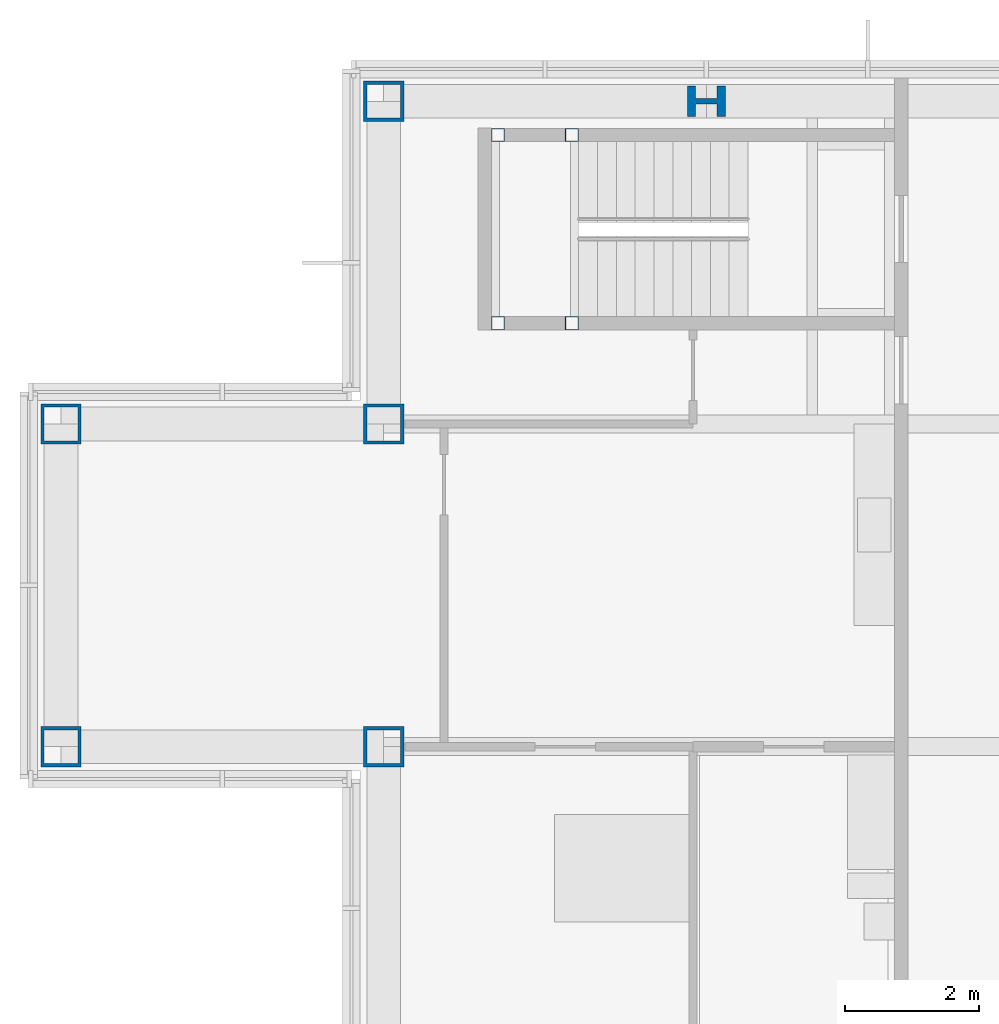
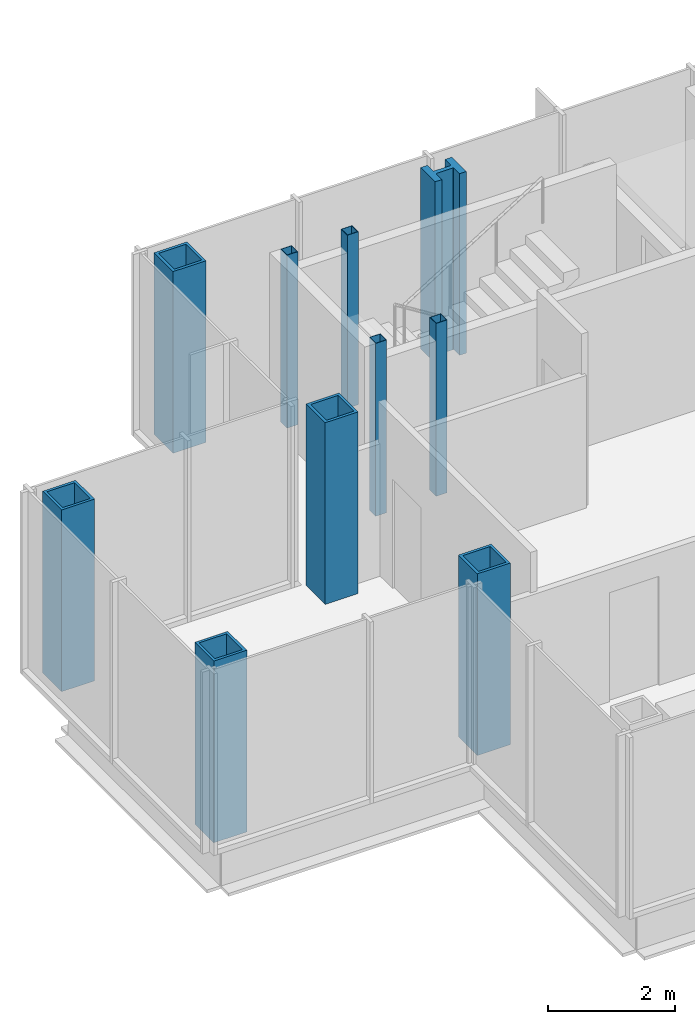
# One storey, part 3 of 15: 10 columns.
"""IFC4 building model written with IfcOpenShell, lengths in metres."""

from ifc_helpers import new_model, si_unit, direction, frame, origin, origin_2d, place, context, subcontext, project, spatial, hollow_rectangle, i_section, extrude, material, material_profile, profile_set, type_object, element, save


model = new_model("IFC4")

# Units and contexts
model_context = context("Model", 3, precision=1e-05, world=origin(), true_north=direction((0.0, 1.0)))
body_context = subcontext(model_context, "Body", "Model", "MODEL_VIEW")
ifc_project = project(units=[si_unit("LENGTHUNIT", "METRE"), si_unit("AREAUNIT", "SQUARE_METRE"), si_unit("VOLUMEUNIT", "CUBIC_METRE"), si_unit("PLANEANGLEUNIT", "RADIAN"), si_unit("MASSUNIT", "GRAM", prefix="KILO")], contexts=[model_context])

# Site, building, storey
site_placement = place(None, origin())
site = spatial("IfcSite", under=ifc_project, at=site_placement, CompositionType="ELEMENT")
building_placement = place(site_placement, origin())
building = spatial("IfcBuilding", under=site, at=building_placement, Name="Kvirike Care Tower", CompositionType="ELEMENT")
storey_placement = place(building_placement, frame((0.0, 0.0, 201.5)))
storey = spatial("IfcBuildingStorey", under=building, at=storey_placement, Name="L55", CompositionType="ELEMENT", Elevation=201.5)

# Columns
ifc_material_1 = material(Name="Steel S460", Category="steel")
ifc_material_profile_1 = material_profile(ifc_material_1, hollow_rectangle(XDim=0.60009765625, YDim=0.60009765625, WallThickness=0.050048828125, at=origin_2d()), Name="BX 600x600x50")
ifc_profile_set_1 = profile_set([ifc_material_profile_1], Name="Steel S460")
column_type_1 = type_object("IfcColumnType", Name="COLUMN BX 600x600x50", PredefinedType="COLUMN", material=ifc_profile_set_1)
for number, where, z_axis, x_axis, name in (
    (1, (0.0, 33.60009765625, 0.0), (0.0, 0.0, 1.0), (0.0, 1.0, 0.0), "Column H3 L55"),
    (2, (0.0, 38.39990234375, 0.0), (0.0, 0.0, 1.0), (0.0, 1.0, 0.0), "Column J3 L55"),
    (3, (4.800048828125, 33.60009765625, 0.0), (0.0, 0.0, 1.0), (0.0, 1.0, 0.0), "Column H4 L55"),
    (4, (4.800048828125, 38.39990234375, 0.0), (0.0, 0.0, 1.0), (0.0, 1.0, 0.0), "Column J4 L55"),
    (5, (4.800048828125, 43.199951171875, 0.0), (0.0, 0.0, 1.0), (0.0, 1.0, 0.0), "Column K4 L55"),
):
    element("IfcColumn", number, at=place(storey_placement, frame(where, z_axis=z_axis, x_axis=x_axis)), inside=storey, type_object=column_type_1, Name=name, PredefinedType="COLUMN", context=body_context, shape_type="SweptSolid", body=[
        extrude(hollow_rectangle(XDim=0.60009765625, YDim=0.60009765625, WallThickness=0.050048828125, at=origin_2d()), origin(), (0.0, 0.0, 1.0), 3.5),
    ])
ifc_material_2 = material(Name="Steel S460", Category="steel")
ifc_material_profile_2 = material_profile(ifc_material_2, i_section(OverallWidth=0.4541015625, OverallDepth=0.569091796875, WebThickness=0.077880859375, FlangeThickness=0.125, FilletRadius=0.014892578125, at=origin_2d()), Name="HD 400x1086")
ifc_profile_set_2 = profile_set([ifc_material_profile_2], Name="Steel S460")
column_type_2 = type_object("IfcColumnType", Name="COLUMN HD 400x1086", PredefinedType="COLUMN", material=ifc_profile_set_2)
column_placement = place(storey_placement, frame((9.60009765625, 43.199951171875, 0.0), z_axis=(0.0, 0.0, 1.0), x_axis=(0.0, 1.0, 0.0)))
element("IfcColumn", 6, at=column_placement, inside=storey, type_object=column_type_2, Name="Column K5 L55", PredefinedType="COLUMN", context=body_context, shape_type="SweptSolid", body=[
    extrude(i_section(OverallWidth=0.4541015625, OverallDepth=0.569091796875, WebThickness=0.077880859375, FlangeThickness=0.125, FilletRadius=0.014892578125, at=origin_2d()), origin(), (0.0, 0.0, 1.0), 3.5),
])
ifc_material_3 = material(Name="Steel S460", Category="steel")
ifc_material_profile_3 = material_profile(ifc_material_3, hollow_rectangle(XDim=0.199951171875, YDim=0.199951171875, WallThickness=0.008056640625, at=origin_2d()), Name="SHS 200x200x8")
ifc_profile_set_3 = profile_set([ifc_material_profile_3], Name="Steel S460")
column_type_3 = type_object("IfcColumnType", Name="STAIR POST SHS 200x200x8", PredefinedType="COLUMN", material=ifc_profile_set_3)
for number, where, z_axis, x_axis, name in (
    (7, (6.5, 42.699951171875, 0.0), (0.0, 0.0, 1.0), (1.0, 0.0, 0.0), "Stair 1 post 1 L55"),
    (8, (6.5, 39.89990234375, 0.0), (0.0, 0.0, 1.0), (1.0, 0.0, 0.0), "Stair 1 post 2 L55"),
    (9, (7.60009765625, 42.699951171875, 0.0), (0.0, 0.0, 1.0), (1.0, 0.0, 0.0), "Stair 1 post 3 L55"),
    (10, (7.60009765625, 39.89990234375, 0.0), (0.0, 0.0, 1.0), (1.0, 0.0, 0.0), "Stair 1 post 4 L55"),
):
    element("IfcColumn", number, at=place(storey_placement, frame(where, z_axis=z_axis, x_axis=x_axis)), inside=storey, type_object=column_type_3, Name=name, PredefinedType="COLUMN", context=body_context, shape_type="SweptSolid", body=[
        extrude(hollow_rectangle(XDim=0.199951171875, YDim=0.199951171875, WallThickness=0.008056640625, at=origin_2d()), origin(), (0.0, 0.0, 1.0), 3.330078125),
    ])

save(model, "model.ifc")
